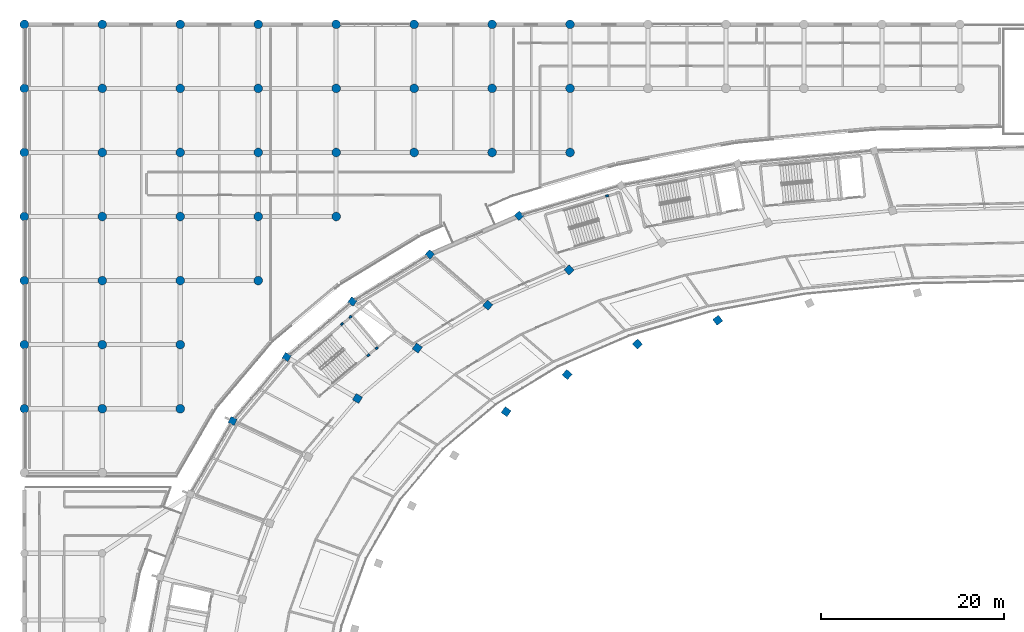
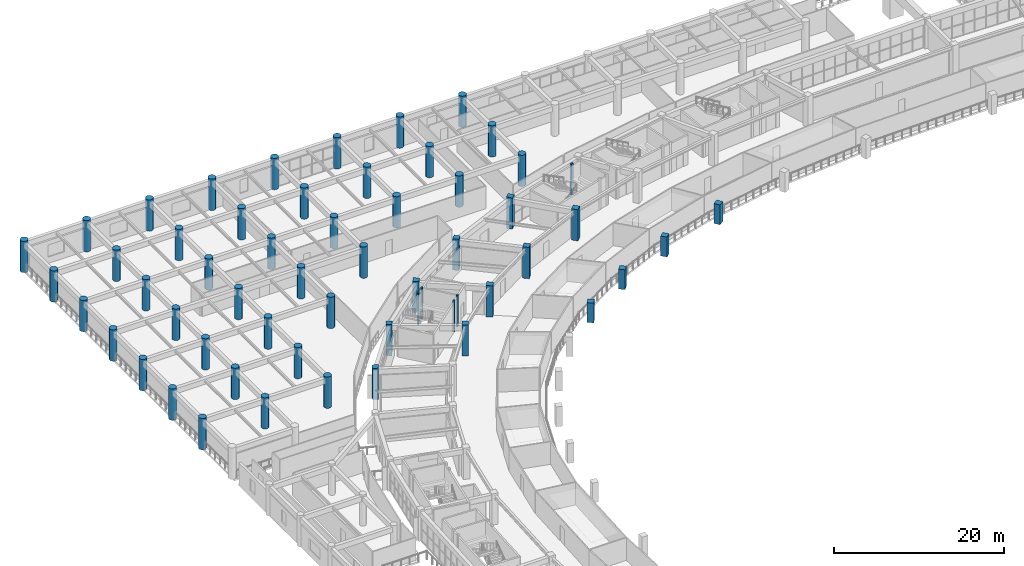
# One storey, part 7 of 141: 57 columns.
"""IFC4 building model written with IfcOpenShell, lengths in metres."""

from ifc_helpers import new_model, si_unit, direction, frame, origin, origin_2d, place, context, subcontext, project, spatial, rectangle, circle, extrude, material, material_profile, profile_set, type_object, element, save


model = new_model("IFC4")

# Units and contexts
model_context = context("Model", 3, precision=1e-05, world=origin(), true_north=direction((0.0, 1.0)))
body_context = subcontext(model_context, "Body", "Model", "MODEL_VIEW")
ifc_project = project(units=[si_unit("LENGTHUNIT", "METRE"), si_unit("AREAUNIT", "SQUARE_METRE"), si_unit("VOLUMEUNIT", "CUBIC_METRE"), si_unit("PLANEANGLEUNIT", "RADIAN"), si_unit("MASSUNIT", "GRAM", prefix="KILO")], contexts=[model_context])

# Site, building, storey
site_placement = place(None, origin())
site = spatial("IfcSite", under=ifc_project, at=site_placement, CompositionType="ELEMENT")
building_placement = place(site_placement, origin())
building = spatial("IfcBuilding", under=site, at=building_placement, Name="Mphavela Belvedere Stadium", CompositionType="ELEMENT")
storey_placement = place(building_placement, frame((0.0, 0.0, 14.699951171875)))
storey = spatial("IfcBuildingStorey", under=building, at=storey_placement, Name="L03", CompositionType="ELEMENT", Elevation=14.699951171875)

# Columns
ifc_material_1 = material(Name="Concrete C40/50", Category="concrete")
ifc_material_profile_1 = material_profile(ifc_material_1, rectangle(XDim=0.300048828125, YDim=0.219970703125, at=origin_2d()), Name="RC 300x220")
ifc_profile_set_1 = profile_set([ifc_material_profile_1], Name="Concrete C40/50")
column_type_1 = type_object("IfcColumnType", Name="COL-CORE-POST-300", PredefinedType="COLUMN", material=ifc_profile_set_1)
for number, where, z_axis, x_axis, name in (
    (1, (37.5927734375, 137.838623046875, 0.0), (0.0, 0.0, 1.0), (0.764246456939, 0.644924300253, 0.0), "Core C05 stair frame column L03-1"),
    (2, (38.510009765625, 138.612548828125, 0.0), (0.0, 0.0, 1.0), (0.764246456939, 0.644924300253, 0.0), "Core C05 stair frame column L03-2"),
    (3, (35.627197265625, 142.02880859375, 0.0), (0.0, 0.0, 1.0), (0.764246456939, 0.644924300253, 0.0), "Core C05 stair frame column L03-3"),
    (4, (34.7099609375, 141.2548828125, 0.0), (0.0, 0.0, 1.0), (0.764246456939, 0.644924300253, 0.0), "Core C05 stair frame column L03-4"),
    (5, (63.674072265625, 155.257080078125, 0.0), (0.0, 0.0, 1.0), (0.958670893355, 0.284517342588, 0.0), "Core P03 stair frame column L03-4"),
):
    element("IfcColumn", number, at=place(storey_placement, frame(where, z_axis=z_axis, x_axis=x_axis)), inside=storey, type_object=column_type_1, Name=name, PredefinedType="COLUMN", context=body_context, shape_type="SweptSolid", body=[
        extrude(rectangle(XDim=0.300048828125, YDim=0.219970703125, at=origin_2d()), origin(), (0.0, 0.0, 1.0), 4.5),
    ])
ifc_material_2 = material(Name="Concrete C40/50", Category="concrete")
ifc_material_profile_2 = material_profile(ifc_material_2, circle(Radius=0.47509765625, at=origin_2d()), Name="COL D950")
ifc_profile_set_2 = profile_set([ifc_material_profile_2], Name="Concrete C40/50")
column_type_2 = type_object("IfcColumnType", Name="COL-DORIC-950", PredefinedType="COLUMN", material=ifc_profile_set_2)
for number, where, z_axis, x_axis, name in (
    (6, (0.0, 132.0, 0.0), (0.0, 0.0, 1.0), (1.0, 0.0, 0.0), "North Mast and Ceremonial End Forecourt classical column L03 1-2"),
    (7, (0.0, 139.0, 0.0), (0.0, 0.0, 1.0), (1.0, 0.0, 0.0), "North Mast and Ceremonial End Forecourt classical column L03 1-3"),
    (8, (0.0, 146.0, 0.0), (0.0, 0.0, 1.0), (1.0, 0.0, 0.0), "North Mast and Ceremonial End Forecourt classical column L03 1-4"),
    (9, (0.0, 153.0, 0.0), (0.0, 0.0, 1.0), (1.0, 0.0, 0.0), "North Mast and Ceremonial End Forecourt classical column L03 1-5"),
    (10, (0.0, 160.0, 0.0), (0.0, 0.0, 1.0), (1.0, 0.0, 0.0), "North Mast and Ceremonial End Forecourt classical column L03 1-6"),
    (11, (0.0, 167.0, 0.0), (0.0, 0.0, 1.0), (1.0, 0.0, 0.0), "North Mast and Ceremonial End Forecourt classical column L03 1-7"),
    (12, (0.0, 174.0, 0.0), (0.0, 0.0, 1.0), (1.0, 0.0, 0.0), "North Mast and Ceremonial End Forecourt classical column L03 1-8"),
    (13, (8.51904296875, 132.0, 0.0), (0.0, 0.0, 1.0), (1.0, 0.0, 0.0), "North Mast and Ceremonial End Forecourt classical column L03 2-2"),
    (14, (8.51904296875, 139.0, 0.0), (0.0, 0.0, 1.0), (1.0, 0.0, 0.0), "North Mast and Ceremonial End Forecourt classical column L03 2-3"),
    (15, (8.51904296875, 146.0, 0.0), (0.0, 0.0, 1.0), (1.0, 0.0, 0.0), "North Mast and Ceremonial End Forecourt classical column L03 2-4"),
    (16, (8.51904296875, 153.0, 0.0), (0.0, 0.0, 1.0), (1.0, 0.0, 0.0), "North Mast and Ceremonial End Forecourt classical column L03 2-5"),
    (17, (8.51904296875, 160.0, 0.0), (0.0, 0.0, 1.0), (1.0, 0.0, 0.0), "North Mast and Ceremonial End Forecourt classical column L03 2-6"),
    (18, (8.51904296875, 167.0, 0.0), (0.0, 0.0, 1.0), (1.0, 0.0, 0.0), "North Mast and Ceremonial End Forecourt classical column L03 2-7"),
    (19, (8.51904296875, 174.0, 0.0), (0.0, 0.0, 1.0), (1.0, 0.0, 0.0), "North Mast and Ceremonial End Forecourt classical column L03 2-8"),
    (20, (17.037109375, 132.0, 0.0), (0.0, 0.0, 1.0), (1.0, 0.0, 0.0), "North Mast and Ceremonial End Forecourt classical column L03 3-2"),
    (21, (17.037109375, 139.0, 0.0), (0.0, 0.0, 1.0), (1.0, 0.0, 0.0), "North Mast and Ceremonial End Forecourt classical column L03 3-3"),
    (22, (17.037109375, 146.0, 0.0), (0.0, 0.0, 1.0), (1.0, 0.0, 0.0), "North Mast and Ceremonial End Forecourt classical column L03 3-4"),
    (23, (17.037109375, 153.0, 0.0), (0.0, 0.0, 1.0), (1.0, 0.0, 0.0), "North Mast and Ceremonial End Forecourt classical column L03 3-5"),
    (24, (17.037109375, 160.0, 0.0), (0.0, 0.0, 1.0), (1.0, 0.0, 0.0), "North Mast and Ceremonial End Forecourt classical column L03 3-6"),
    (25, (17.037109375, 167.0, 0.0), (0.0, 0.0, 1.0), (1.0, 0.0, 0.0), "North Mast and Ceremonial End Forecourt classical column L03 3-7"),
    (26, (17.037109375, 174.0, 0.0), (0.0, 0.0, 1.0), (1.0, 0.0, 0.0), "North Mast and Ceremonial End Forecourt classical column L03 3-8"),
    (27, (25.555908203125, 146.0, 0.0), (0.0, 0.0, 1.0), (1.0, 0.0, 0.0), "North Mast and Ceremonial End Forecourt classical column L03 4-4"),
    (28, (25.555908203125, 153.0, 0.0), (0.0, 0.0, 1.0), (1.0, 0.0, 0.0), "North Mast and Ceremonial End Forecourt classical column L03 4-5"),
    (29, (25.555908203125, 160.0, 0.0), (0.0, 0.0, 1.0), (1.0, 0.0, 0.0), "North Mast and Ceremonial End Forecourt classical column L03 4-6"),
    (30, (25.555908203125, 167.0, 0.0), (0.0, 0.0, 1.0), (1.0, 0.0, 0.0), "North Mast and Ceremonial End Forecourt classical column L03 4-7"),
    (31, (25.555908203125, 174.0, 0.0), (0.0, 0.0, 1.0), (1.0, 0.0, 0.0), "North Mast and Ceremonial End Forecourt classical column L03 4-8"),
    (32, (34.073974609375, 153.0, 0.0), (0.0, 0.0, 1.0), (1.0, 0.0, 0.0), "North Mast and Ceremonial End Forecourt classical column L03 5-5"),
    (33, (34.073974609375, 160.0, 0.0), (0.0, 0.0, 1.0), (1.0, 0.0, 0.0), "North Mast and Ceremonial End Forecourt classical column L03 5-6"),
    (34, (34.073974609375, 167.0, 0.0), (0.0, 0.0, 1.0), (1.0, 0.0, 0.0), "North Mast and Ceremonial End Forecourt classical column L03 5-7"),
    (35, (34.073974609375, 174.0, 0.0), (0.0, 0.0, 1.0), (1.0, 0.0, 0.0), "North Mast and Ceremonial End Forecourt classical column L03 5-8"),
    (36, (42.593017578125, 160.0, 0.0), (0.0, 0.0, 1.0), (1.0, 0.0, 0.0), "North Mast and Ceremonial End Forecourt classical column L03 6-6"),
    (37, (42.593017578125, 167.0, 0.0), (0.0, 0.0, 1.0), (1.0, 0.0, 0.0), "North Mast and Ceremonial End Forecourt classical column L03 6-7"),
    (38, (42.593017578125, 174.0, 0.0), (0.0, 0.0, 1.0), (1.0, 0.0, 0.0), "North Mast and Ceremonial End Forecourt classical column L03 6-8"),
    (39, (51.111083984375, 160.0, 0.0), (0.0, 0.0, 1.0), (1.0, 0.0, 0.0), "North Mast and Ceremonial End Forecourt classical column L03 7-6"),
    (40, (51.111083984375, 167.0, 0.0), (0.0, 0.0, 1.0), (1.0, 0.0, 0.0), "North Mast and Ceremonial End Forecourt classical column L03 7-7"),
    (41, (51.111083984375, 174.0, 0.0), (0.0, 0.0, 1.0), (1.0, 0.0, 0.0), "North Mast and Ceremonial End Forecourt classical column L03 7-8"),
    (42, (59.6298828125, 160.0, 0.0), (0.0, 0.0, 1.0), (1.0, 0.0, 0.0), "North Mast and Ceremonial End Forecourt classical column L03 8-6"),
    (43, (59.6298828125, 167.0, 0.0), (0.0, 0.0, 1.0), (1.0, 0.0, 0.0), "North Mast and Ceremonial End Forecourt classical column L03 8-7"),
    (44, (59.6298828125, 174.0, 0.0), (0.0, 0.0, 1.0), (1.0, 0.0, 0.0), "North Mast and Ceremonial End Forecourt classical column L03 8-8"),
):
    element("IfcColumn", number, at=place(storey_placement, frame(where, z_axis=z_axis, x_axis=x_axis)), inside=storey, type_object=column_type_2, Name=name, PredefinedType="COLUMN", context=body_context, shape_type="SweptSolid", body=[
        extrude(circle(Radius=0.47509765625, at=origin_2d()), origin(), (0.0, 0.0, 1.0), 4.5),
    ])
ifc_material_3 = material(Name="Concrete C40/50", Category="concrete")
ifc_material_profile_3 = material_profile(ifc_material_3, rectangle(XDim=0.75, YDim=0.75, at=origin_2d()), Name="RC 750x750")
ifc_profile_set_3 = profile_set([ifc_material_profile_3], Name="Concrete C40/50")
column_type_3 = type_object("IfcColumnType", Name="COL-RC750", PredefinedType="COLUMN", material=ifc_profile_set_3)
for number, where, z_axis, x_axis, name in (
    (45, (54.0625, 153.09130859375, 0.0), (0.0, 0.0, 1.0), (-0.677903094969, 0.735151272753, 0.0), "Outer colonnade column L03 R4-17"),
    (46, (44.3037109375, 148.86083984375, 0.0), (0.0, 0.0, 1.0), (-0.752529860433, 0.658558128912, 0.0), "Outer colonnade column L03 R4-18"),
    (47, (35.844482421875, 143.714599609375, 0.0), (0.0, 0.0, 1.0), (-0.812897512265, 0.582406760395, 0.0), "Outer colonnade column L03 R4-19"),
    (48, (28.66162109375, 137.653564453125, 0.0), (0.0, 0.0, 1.0), (-0.862513669207, 0.506033764121, 0.0), "Outer colonnade column L03 R4-20"),
    (49, (22.757568359375, 130.66162109375, 0.0), (0.0, 0.0, 1.0), (-0.903858661687, 0.4278311813, 0.0), "Outer colonnade column L03 R4-21"),
):
    element("IfcColumn", number, at=place(storey_placement, frame(where, z_axis=z_axis, x_axis=x_axis)), inside=storey, type_object=column_type_3, Name=name, PredefinedType="COLUMN", context=body_context, shape_type="SweptSolid", body=[
        extrude(rectangle(XDim=0.75, YDim=0.75, at=origin_2d()), origin(), (0.0, 0.0, 1.0), 4.5),
    ])
ifc_material_4 = material(Name="Concrete C40/50", Category="concrete")
ifc_material_profile_4 = material_profile(ifc_material_4, rectangle(XDim=0.800048828125, YDim=0.800048828125, at=origin_2d()), Name="RC 800x800")
ifc_profile_set_4 = profile_set([ifc_material_profile_4], Name="Concrete C40/50")
column_type_4 = type_object("IfcColumnType", Name="COL-RC800", PredefinedType="COLUMN", material=ifc_profile_set_4)
for number, where, z_axis, x_axis, name in (
    (50, (75.769775390625, 141.66650390625, 0.0), (0.0, 0.0, 1.0), (-0.582974127943, 0.812490717577, 0.0), "Upper raker support column L03 R2-16"),
    (51, (66.997314453125, 139.0625, 0.0), (0.0, 0.0, 1.0), (-0.677903094969, 0.735151272753, 0.0), "Upper raker support column L03 R2-17"),
):
    element("IfcColumn", number, at=place(storey_placement, frame(where, z_axis=z_axis, x_axis=x_axis)), inside=storey, type_object=column_type_4, Name=name, PredefinedType="COLUMN", context=body_context, shape_type="SweptSolid", body=[
        extrude(rectangle(XDim=0.800048828125, YDim=0.800048828125, at=origin_2d()), origin(), (0.0, 0.0, 1.0), 2.85009765625),
    ])
column_1_placement = place(storey_placement, frame((59.523681640625, 147.16796875, 0.0), z_axis=(0.0, 0.0, 1.0), x_axis=(-0.677903094969, 0.735151272753, 0.0)))
element("IfcColumn", 52, at=column_1_placement, inside=storey, type_object=column_type_4, Name="Main bowl column L03 R3-17", PredefinedType="COLUMN", context=body_context, shape_type="SweptSolid", body=[
    extrude(rectangle(XDim=0.800048828125, YDim=0.800048828125, at=origin_2d()), origin(), (0.0, 0.0, 1.0), 4.5),
])
column_2_placement = place(storey_placement, frame((59.31005859375, 135.72998046875, 0.0), z_axis=(0.0, 0.0, 1.0), x_axis=(-0.752529860433, 0.658558128912, 0.0)))
element("IfcColumn", 53, at=column_2_placement, inside=storey, type_object=column_type_4, Name="Upper raker support column L03 R2-18", PredefinedType="COLUMN", context=body_context, shape_type="SweptSolid", body=[
    extrude(rectangle(XDim=0.800048828125, YDim=0.800048828125, at=origin_2d()), origin(), (0.0, 0.0, 1.0), 2.85009765625),
])
column_3_placement = place(storey_placement, frame((50.639892578125, 143.31689453125, 0.0), z_axis=(0.0, 0.0, 1.0), x_axis=(-0.752529860433, 0.658558128912, 0.0)))
element("IfcColumn", 54, at=column_3_placement, inside=storey, type_object=column_type_4, Name="Main bowl column L03 R3-18", PredefinedType="COLUMN", context=body_context, shape_type="SweptSolid", body=[
    extrude(rectangle(XDim=0.800048828125, YDim=0.800048828125, at=origin_2d()), origin(), (0.0, 0.0, 1.0), 4.5),
])
column_4_placement = place(storey_placement, frame((52.646240234375, 131.676025390625, 0.0), z_axis=(0.0, 0.0, 1.0), x_axis=(-0.812897512265, 0.582406760395, 0.0)))
element("IfcColumn", 55, at=column_4_placement, inside=storey, type_object=column_type_4, Name="Upper raker support column L03 R2-19", PredefinedType="COLUMN", context=body_context, shape_type="SweptSolid", body=[
    extrude(rectangle(XDim=0.800048828125, YDim=0.800048828125, at=origin_2d()), origin(), (0.0, 0.0, 1.0), 2.85009765625),
])
for number, where, z_axis, x_axis, name in (
    (56, (42.938720703125, 138.631591796875, 0.0), (0.0, 0.0, 1.0), (-0.812897512265, 0.582406760395, 0.0), "Main bowl column L03 R3-19"),
    (57, (36.399658203125, 133.11376953125, 0.0), (0.0, 0.0, 1.0), (-0.862513669207, 0.506033764121, 0.0), "Main bowl column L03 R3-20"),
):
    element("IfcColumn", number, at=place(storey_placement, frame(where, z_axis=z_axis, x_axis=x_axis)), inside=storey, type_object=column_type_4, Name=name, PredefinedType="COLUMN", context=body_context, shape_type="SweptSolid", body=[
        extrude(rectangle(XDim=0.800048828125, YDim=0.800048828125, at=origin_2d()), origin(), (0.0, 0.0, 1.0), 4.5),
    ])

save(model, "model.ifc")
